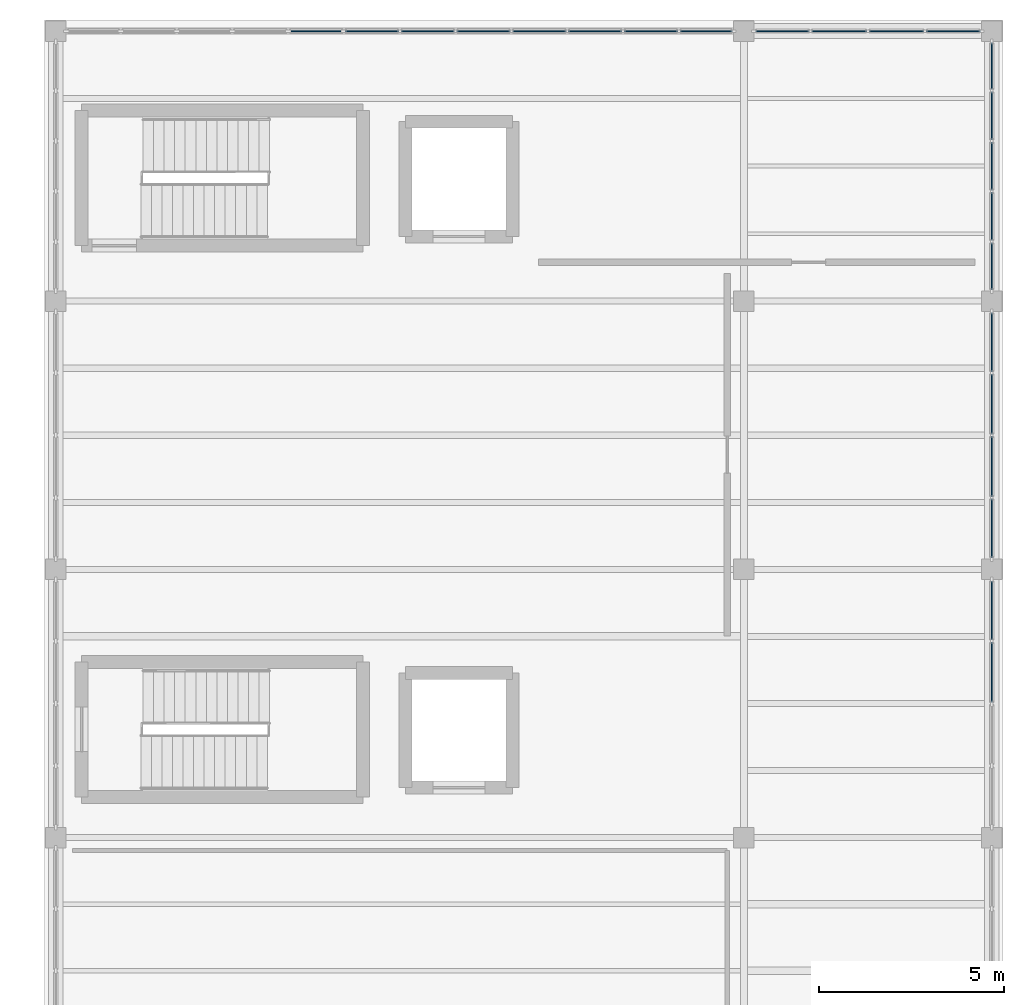
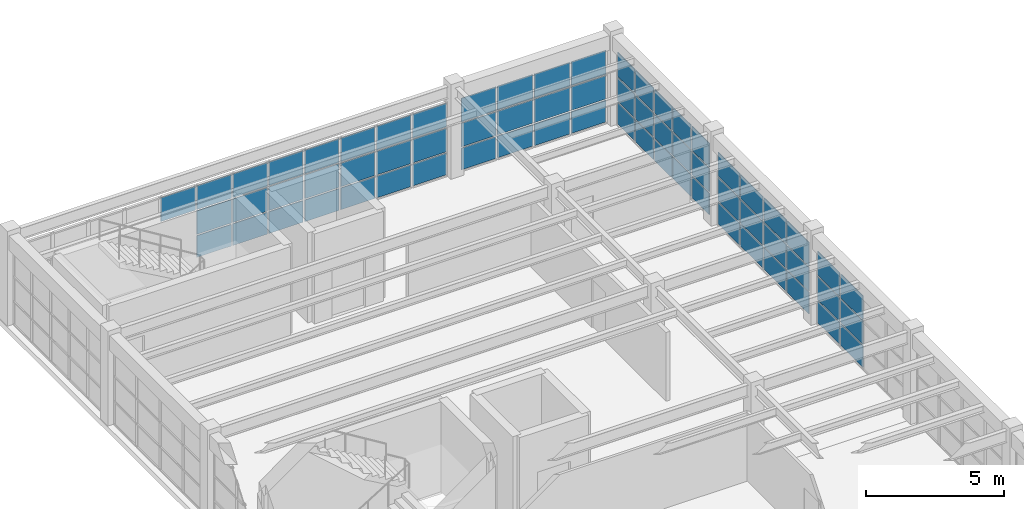
# One storey, part 49 of 66: 67 plates, 5 elements without a shape of their own.
"""IFC4 building model written with IfcOpenShell, lengths in metres."""

import ifcopenshell
import ifcopenshell.guid

model = None  # the IFC model being written
_history = None  # IfcOwnerHistory: only IFC2X3 demands one
_inside = {}  # id of a spatial element -> (the spatial element, [elements in it])
_under = {}  # id of a project, library or spatial element -> (it, [spatial elements below it])
_declared = {}  # id of a project -> (the project, [libraries it declares])
_typed = {}  # id of a type object -> (the type object, [elements of that type])
_made_of = {}  # id of a material, layer set ... -> (it, [elements and type objects made of it])


def new_model(schema):
    """Start an empty IFC model of exactly this schema.

    Asked for "IFC4X3", IfcOpenShell would pick the latest addendum, in which some entities
    have other attributes; the version numbers below select the first issue.
    IFC2X3 requires an IfcOwnerHistory on every rooted entity: one is made here for all.
    """
    global model, _history
    if schema == "IFC4X3":
        model = ifcopenshell.file(schema_version=(4, 3, 0, 0))
    else:
        model = ifcopenshell.file(schema=schema)
    _inside.clear()
    _under.clear()
    _declared.clear()
    _typed.clear()
    _made_of.clear()
    _history = None
    if model.schema == "IFC2X3":
        org = make("IfcOrganization", Name="unknown")
        user = make(
            "IfcPersonAndOrganization",
            ThePerson=make("IfcPerson", FamilyName="unknown"),
            TheOrganization=org,
        )
        app = make(
            "IfcApplication",
            ApplicationDeveloper=org,
            Version="unknown",
            ApplicationFullName="unknown",
            ApplicationIdentifier="unknown",
        )
        _history = make(
            "IfcOwnerHistory",
            OwningUser=user,
            OwningApplication=app,
            ChangeAction="ADDED",
            CreationDate=0,
        )
    return model


def make(cls, **values):
    """One entity of the class cls with the attributes given. An attribute that is None is left unset."""
    return model.create_entity(
        cls, **{name: value for name, value in values.items() if value is not None}
    )


def rooted(cls, **values):
    """An entity with a GlobalId (a new one), such as an element, a storey or a relation."""
    return make(cls, GlobalId=ifcopenshell.guid.new(), OwnerHistory=_history, **values)


def si_unit(unit_type, name, prefix=None):
    """IfcSIUnit, for example si_unit("LENGTHUNIT", "METRE", prefix="MILLI")."""
    return make("IfcSIUnit", UnitType=unit_type, Prefix=prefix, Name=name)


def assignment(units):
    """IfcUnitAssignment: the units of a project."""
    return None if units is None else make("IfcUnitAssignment", Units=units)


def point(xyz):
    """IfcCartesianPoint."""
    return None if xyz is None else make("IfcCartesianPoint", Coordinates=xyz)


def direction(xyz):
    """IfcDirection."""
    return None if xyz is None else make("IfcDirection", DirectionRatios=xyz)


def frame(location, z_axis=None, x_axis=None):
    """IfcAxis2Placement3D, a coordinate frame: its origin and axes. An axis left out is left unset."""
    return make(
        "IfcAxis2Placement3D",
        Location=point(location),
        Axis=direction(z_axis),
        RefDirection=direction(x_axis),
    )


def frame_2d(location, x_axis=None):
    """IfcAxis2Placement2D, a coordinate frame in the plane: its origin and x axis."""
    return make(
        "IfcAxis2Placement2D", Location=point(location), RefDirection=direction(x_axis)
    )


def origin():
    """The frame at (0, 0, 0) with its axes left unset."""
    return frame((0.0, 0.0, 0.0))


def origin_2d():
    """The frame at (0, 0) in the plane with its x axis left unset."""
    return frame_2d((0.0, 0.0))


def place(relative_to, where):
    """IfcLocalPlacement: puts the frame where relative to a parent placement (None: the world)."""
    return make(
        "IfcLocalPlacement", PlacementRelTo=relative_to, RelativePlacement=where
    )


def context(
    kind, dimensions, precision=None, world=None, true_north=None, identifier=None
):
    """IfcGeometricRepresentationContext, for example the 3D "Model" context."""
    return make(
        "IfcGeometricRepresentationContext",
        ContextIdentifier=identifier,
        ContextType=kind,
        CoordinateSpaceDimension=dimensions,
        Precision=precision,
        WorldCoordinateSystem=world,
        TrueNorth=true_north,
    )


def subcontext(parent, identifier, kind, view, scale=None):
    """IfcGeometricRepresentationSubContext, for example "Body" below "Model"."""
    return make(
        "IfcGeometricRepresentationSubContext",
        ContextIdentifier=identifier,
        ContextType=kind,
        ParentContext=parent,
        TargetScale=scale,
        TargetView=view,
    )


def project(units=None, contexts=None):
    """IfcProject with its units and contexts."""
    return rooted(
        "IfcProject",
        Name="project",
        RepresentationContexts=contexts,
        UnitsInContext=assignment(units),
    )


def spatial(cls, under=None, at=None, **own):
    """A site, building, storey or space (cls), placed at a placement, below another one or the project."""
    s = rooted(cls, ObjectPlacement=at, **own)
    if under is not None:
        _under.setdefault(under.id(), (under, []))[1].append(s)
    return s


def profile(cls, at=None, kind="AREA", **sizes):
    """A parametric profile (cls). Its sizes go by their IFC names, for example OverallWidth=200.0."""
    return make(cls, ProfileType=kind, Position=at, **sizes)


def rectangle(**sizes):
    """IfcRectangleProfileDef."""
    return profile("IfcRectangleProfileDef", **sizes)


def extrude(swept, where, along, depth):
    """IfcExtrudedAreaSolid: the profile swept, set in the frame where, extruded along a direction by depth."""
    return make(
        "IfcExtrudedAreaSolid",
        SweptArea=swept,
        Position=where,
        ExtrudedDirection=direction(along),
        Depth=depth,
    )


def shape(context_of_items, identifier, shape_type, items):
    """IfcShapeRepresentation: the items that make up one representation, for example the "Body"."""
    return make(
        "IfcShapeRepresentation",
        ContextOfItems=context_of_items,
        RepresentationIdentifier=identifier,
        RepresentationType=shape_type,
        Items=items,
    )


def material(Name=None, Category=None):
    """IfcMaterial."""
    return make("IfcMaterial", Name=Name, Category=Category)


def layer(
    of_material, thickness, ventilated=None, Name=None, Category=None, Priority=None
):
    """IfcMaterialLayer: one layer of a wall or slab, of a material (None: an air gap)."""
    return make(
        "IfcMaterialLayer",
        Material=of_material,
        LayerThickness=thickness,
        IsVentilated=ventilated,
        Name=Name,
        Category=Category,
        Priority=Priority,
    )


def layer_set(layers, Name=None):
    """IfcMaterialLayerSet."""
    return make("IfcMaterialLayerSet", MaterialLayers=layers, LayerSetName=Name)


def made_of(thing, what):
    """Note that an element or type object is made of a material, layer set ...; save() writes the relation."""
    if what is not None:
        _made_of.setdefault(what.id(), (what, []))[1].append(thing)
    return thing


def type_object(cls, material=None, **own):
    """A type object (cls), such as IfcWallType, which elements share."""
    return made_of(rooted(cls, **own), material)


def element(
    cls,
    number,
    at=None,
    inside=None,
    cuts=None,
    type_object=None,
    material=None,
    context=None,
    identifier="Body",
    shape_type=None,
    held_by="IfcProductDefinitionShape",
    body=None,
    shapes=None,
    **own,
):
    """One element of the class cls, such as IfcWall. Its Tag is "e" and its number.

    at: its placement. inside: the storey or other place that contains it. cuts: it is an
    opening in that element (IfcRelVoidsElement). A single representation is given by context,
    identifier, shape_type and body (its items); several are given by shapes. held_by: the class
    of the entity that holds the representations. save() writes the other relations.
    """
    e = rooted(cls, Tag="e%d" % number, ObjectPlacement=at, **own)
    if body is not None:
        shapes = [shape(context, identifier, shape_type, body)]
    if shapes is not None:
        e.Representation = make(held_by, Representations=shapes)
    if inside is not None:
        _inside.setdefault(inside.id(), (inside, []))[1].append(e)
    if cuts is not None:
        rooted(
            "IfcRelVoidsElement", RelatingBuildingElement=cuts, RelatedOpeningElement=e
        )
    if type_object is not None:
        _typed.setdefault(type_object.id(), (type_object, []))[1].append(e)
    return made_of(e, material)


def aggregate(whole, parts):
    """IfcRelAggregates: a whole, such as a stair, and the parts it consists of."""
    return rooted("IfcRelAggregates", RelatingObject=whole, RelatedObjects=parts)


def save(model, path):
    """Write the relations noted so far, then the file.

    IfcRelAggregates (storeys below a building ...), IfcRelContainedInSpatialStructure (elements
    in a storey), IfcRelDefinesByType, IfcRelAssociatesMaterial and IfcRelDeclares: one each for
    every whole, place, type object, material and project.
    """
    for whole, parts in _under.values():
        aggregate(whole, parts)
    for where, things in _inside.values():
        rooted(
            "IfcRelContainedInSpatialStructure",
            RelatedElements=things,
            RelatingStructure=where,
        )
    for kind, things in _typed.values():
        rooted("IfcRelDefinesByType", RelatedObjects=things, RelatingType=kind)
    for what, things in _made_of.values():
        rooted("IfcRelAssociatesMaterial", RelatedObjects=things, RelatingMaterial=what)
    for by, libraries in _declared.values():
        rooted("IfcRelDeclares", RelatingContext=by, RelatedDefinitions=libraries)
    model.write(path)


model = new_model("IFC4")

# Units and contexts
model_context = context("Model", 3, precision=1e-05, world=origin(), true_north=direction((0.0, 1.0)))
body_context = subcontext(model_context, "Body", "Model", "MODEL_VIEW")
ifc_project = project(units=[si_unit("LENGTHUNIT", "METRE"), si_unit("AREAUNIT", "SQUARE_METRE"), si_unit("VOLUMEUNIT", "CUBIC_METRE"), si_unit("PLANEANGLEUNIT", "RADIAN"), si_unit("MASSUNIT", "GRAM", prefix="KILO")], contexts=[model_context])

# Site, building, storey
site_placement = place(None, origin())
site = spatial("IfcSite", under=ifc_project, at=site_placement, CompositionType="ELEMENT")
building_placement = place(site_placement, origin())
building = spatial("IfcBuilding", under=site, at=building_placement, Name="Candilejo Ridge Gondola Terminal", CompositionType="ELEMENT")
storey_placement = place(building_placement, frame((0.0, 0.0, 14.39990234375)))
storey = spatial("IfcBuildingStorey", under=building, at=storey_placement, Name="L03", CompositionType="ELEMENT", Elevation=14.39990234375)

# Curtain wall, plates
ifc_material_1 = material(Name="Anodised aluminium AA 6063-T6", Category="aluminium")
ifc_layer_1 = layer(ifc_material_1, 0.169921875)
ifc_layer_set_1 = layer_set([ifc_layer_1], Name="ARC-CW-TOWER-3000-675X329")
curtain_wall_type_1 = type_object("IfcCurtainWallType", Name="ARC-CW-TOWER-3000-675X329", PredefinedType="NOTDEFINED", material=ifc_layer_set_1)
curtain_wall_1_placement = place(storey_placement, origin())
curtain_wall_1 = element("IfcCurtainWall", 1, at=curtain_wall_1_placement, inside=storey, type_object=curtain_wall_type_1, Name="Curtain wall V5 L03-203", PredefinedType="NOTDEFINED")
ifc_material_2 = material(Name="Low-E laminated double glazing 6+12A+6+1.52PVB+6 mm", Category="glass")
ifc_layer_2 = layer(ifc_material_2, 0.028076171875)
ifc_layer_set_2 = layer_set([ifc_layer_2], Name="ARC-CW-GLAZ-PANEL")
plate_type = type_object("IfcPlateType", Name="ARC-CW-GLAZ-PANEL", PredefinedType="CURTAIN_PANEL", material=ifc_layer_set_2)
plate_1_placement = place(storey_placement, frame((175.300048828125, 103.518798828125, 0.06005859375), z_axis=(0.0, 0.0, 1.0), x_axis=(0.0, 1.0, 0.0)))
plate_1 = element("IfcPlate", 2, at=plate_1_placement, type_object=plate_type, Name="CW-67X32 panel 3.1", PredefinedType="CURTAIN_PANEL", context=body_context, shape_type="SweptSolid", body=[
    extrude(rectangle(XDim=1.62255859375, YDim=0.028076171875, at=origin_2d()), origin(), (0.0, 0.0, 1.0), 0.9599609375),
])
plate_2_placement = place(storey_placement, frame((175.300048828125, 103.518798828125, 1.080078125), z_axis=(0.0, 0.0, 1.0), x_axis=(0.0, 1.0, 0.0)))
plate_2 = element("IfcPlate", 3, at=plate_2_placement, type_object=plate_type, Name="CW-67X32 panel 3.2", PredefinedType="CURTAIN_PANEL", context=body_context, shape_type="SweptSolid", body=[
    extrude(rectangle(XDim=1.62255859375, YDim=0.028076171875, at=origin_2d()), origin(), (0.0, 0.0, 1.0), 1.0400390625),
])
plate_3_placement = place(storey_placement, frame((175.300048828125, 103.518798828125, 2.18017578125), z_axis=(0.0, 0.0, 1.0), x_axis=(0.0, 1.0, 0.0)))
plate_3 = element("IfcPlate", 4, at=plate_3_placement, type_object=plate_type, Name="CW-67X32 panel 3.3", PredefinedType="CURTAIN_PANEL", context=body_context, shape_type="SweptSolid", body=[
    extrude(rectangle(XDim=1.62255859375, YDim=0.028076171875, at=origin_2d()), origin(), (0.0, 0.0, 1.0), 1.050048828125),
])
plate_4_placement = place(storey_placement, frame((175.300048828125, 105.18994140625, 0.06005859375), z_axis=(0.0, 0.0, 1.0), x_axis=(0.0, 1.0, 0.0)))
plate_4 = element("IfcPlate", 5, at=plate_4_placement, type_object=plate_type, Name="CW-67X32 panel 4.1", PredefinedType="CURTAIN_PANEL", context=body_context, shape_type="SweptSolid", body=[
    extrude(rectangle(XDim=1.590087890625, YDim=0.028076171875, at=origin_2d()), origin(), (0.0, 0.0, 1.0), 0.9599609375),
])
plate_5_placement = place(storey_placement, frame((175.300048828125, 105.18994140625, 1.080078125), z_axis=(0.0, 0.0, 1.0), x_axis=(0.0, 1.0, 0.0)))
plate_5 = element("IfcPlate", 6, at=plate_5_placement, type_object=plate_type, Name="CW-67X32 panel 4.2", PredefinedType="CURTAIN_PANEL", context=body_context, shape_type="SweptSolid", body=[
    extrude(rectangle(XDim=1.590087890625, YDim=0.028076171875, at=origin_2d()), origin(), (0.0, 0.0, 1.0), 1.0400390625),
])
plate_6_placement = place(storey_placement, frame((175.300048828125, 105.18994140625, 2.18017578125), z_axis=(0.0, 0.0, 1.0), x_axis=(0.0, 1.0, 0.0)))
plate_6 = element("IfcPlate", 7, at=plate_6_placement, type_object=plate_type, Name="CW-67X32 panel 4.3", PredefinedType="CURTAIN_PANEL", context=body_context, shape_type="SweptSolid", body=[
    extrude(rectangle(XDim=1.590087890625, YDim=0.028076171875, at=origin_2d()), origin(), (0.0, 0.0, 1.0), 1.050048828125),
])
aggregate(curtain_wall_1, [plate_1, plate_2, plate_3, plate_4, plate_5, plate_6])

curtain_wall_2_placement = place(storey_placement, origin())
curtain_wall_2 = element("IfcCurtainWall", 8, at=curtain_wall_2_placement, inside=storey, type_object=curtain_wall_type_1, Name="Curtain wall V5 L03-205", PredefinedType="NOTDEFINED")
plate_7_placement = place(storey_placement, frame((175.300048828125, 107.409912109375, 0.06005859375), z_axis=(0.0, 0.0, 1.0), x_axis=(0.0, 1.0, 0.0)))
plate_7 = element("IfcPlate", 9, at=plate_7_placement, type_object=plate_type, Name="CW-67X32 panel 1.1", PredefinedType="CURTAIN_PANEL", context=body_context, shape_type="SweptSolid", body=[
    extrude(rectangle(XDim=1.590087890625, YDim=0.028076171875, at=origin_2d()), origin(), (0.0, 0.0, 1.0), 0.9599609375),
])
plate_8_placement = place(storey_placement, frame((175.300048828125, 107.409912109375, 1.080078125), z_axis=(0.0, 0.0, 1.0), x_axis=(0.0, 1.0, 0.0)))
plate_8 = element("IfcPlate", 10, at=plate_8_placement, type_object=plate_type, Name="CW-67X32 panel 1.2", PredefinedType="CURTAIN_PANEL", context=body_context, shape_type="SweptSolid", body=[
    extrude(rectangle(XDim=1.590087890625, YDim=0.028076171875, at=origin_2d()), origin(), (0.0, 0.0, 1.0), 1.0400390625),
])
plate_9_placement = place(storey_placement, frame((175.300048828125, 107.409912109375, 2.18017578125), z_axis=(0.0, 0.0, 1.0), x_axis=(0.0, 1.0, 0.0)))
plate_9 = element("IfcPlate", 11, at=plate_9_placement, type_object=plate_type, Name="CW-67X32 panel 1.3", PredefinedType="CURTAIN_PANEL", context=body_context, shape_type="SweptSolid", body=[
    extrude(rectangle(XDim=1.590087890625, YDim=0.028076171875, at=origin_2d()), origin(), (0.0, 0.0, 1.0), 1.050048828125),
])
plate_10_placement = place(storey_placement, frame((175.300048828125, 109.081298828125, 0.06005859375), z_axis=(0.0, 0.0, 1.0), x_axis=(0.0, 1.0, 0.0)))
plate_10 = element("IfcPlate", 12, at=plate_10_placement, type_object=plate_type, Name="CW-67X32 panel 2.1", PredefinedType="CURTAIN_PANEL", context=body_context, shape_type="SweptSolid", body=[
    extrude(rectangle(XDim=1.62255859375, YDim=0.028076171875, at=origin_2d()), origin(), (0.0, 0.0, 1.0), 0.9599609375),
])
plate_11_placement = place(storey_placement, frame((175.300048828125, 109.081298828125, 1.080078125), z_axis=(0.0, 0.0, 1.0), x_axis=(0.0, 1.0, 0.0)))
plate_11 = element("IfcPlate", 13, at=plate_11_placement, type_object=plate_type, Name="CW-67X32 panel 2.2", PredefinedType="CURTAIN_PANEL", context=body_context, shape_type="SweptSolid", body=[
    extrude(rectangle(XDim=1.62255859375, YDim=0.028076171875, at=origin_2d()), origin(), (0.0, 0.0, 1.0), 1.0400390625),
])
plate_12_placement = place(storey_placement, frame((175.300048828125, 109.081298828125, 2.18017578125), z_axis=(0.0, 0.0, 1.0), x_axis=(0.0, 1.0, 0.0)))
plate_12 = element("IfcPlate", 14, at=plate_12_placement, type_object=plate_type, Name="CW-67X32 panel 2.3", PredefinedType="CURTAIN_PANEL", context=body_context, shape_type="SweptSolid", body=[
    extrude(rectangle(XDim=1.62255859375, YDim=0.028076171875, at=origin_2d()), origin(), (0.0, 0.0, 1.0), 1.050048828125),
])
plate_13_placement = place(storey_placement, frame((175.300048828125, 110.768798828125, 0.06005859375), z_axis=(0.0, 0.0, 1.0), x_axis=(0.0, 1.0, 0.0)))
plate_13 = element("IfcPlate", 15, at=plate_13_placement, type_object=plate_type, Name="CW-67X32 panel 3.1", PredefinedType="CURTAIN_PANEL", context=body_context, shape_type="SweptSolid", body=[
    extrude(rectangle(XDim=1.62255859375, YDim=0.028076171875, at=origin_2d()), origin(), (0.0, 0.0, 1.0), 0.9599609375),
])
plate_14_placement = place(storey_placement, frame((175.300048828125, 110.768798828125, 1.080078125), z_axis=(0.0, 0.0, 1.0), x_axis=(0.0, 1.0, 0.0)))
plate_14 = element("IfcPlate", 16, at=plate_14_placement, type_object=plate_type, Name="CW-67X32 panel 3.2", PredefinedType="CURTAIN_PANEL", context=body_context, shape_type="SweptSolid", body=[
    extrude(rectangle(XDim=1.62255859375, YDim=0.028076171875, at=origin_2d()), origin(), (0.0, 0.0, 1.0), 1.0400390625),
])
plate_15_placement = place(storey_placement, frame((175.300048828125, 110.768798828125, 2.18017578125), z_axis=(0.0, 0.0, 1.0), x_axis=(0.0, 1.0, 0.0)))
plate_15 = element("IfcPlate", 17, at=plate_15_placement, type_object=plate_type, Name="CW-67X32 panel 3.3", PredefinedType="CURTAIN_PANEL", context=body_context, shape_type="SweptSolid", body=[
    extrude(rectangle(XDim=1.62255859375, YDim=0.028076171875, at=origin_2d()), origin(), (0.0, 0.0, 1.0), 1.050048828125),
])
plate_16_placement = place(storey_placement, frame((175.300048828125, 112.43994140625, 0.06005859375), z_axis=(0.0, 0.0, 1.0), x_axis=(0.0, 1.0, 0.0)))
plate_16 = element("IfcPlate", 18, at=plate_16_placement, type_object=plate_type, Name="CW-67X32 panel 4.1", PredefinedType="CURTAIN_PANEL", context=body_context, shape_type="SweptSolid", body=[
    extrude(rectangle(XDim=1.590087890625, YDim=0.028076171875, at=origin_2d()), origin(), (0.0, 0.0, 1.0), 0.9599609375),
])
plate_17_placement = place(storey_placement, frame((175.300048828125, 112.43994140625, 1.080078125), z_axis=(0.0, 0.0, 1.0), x_axis=(0.0, 1.0, 0.0)))
plate_17 = element("IfcPlate", 19, at=plate_17_placement, type_object=plate_type, Name="CW-67X32 panel 4.2", PredefinedType="CURTAIN_PANEL", context=body_context, shape_type="SweptSolid", body=[
    extrude(rectangle(XDim=1.590087890625, YDim=0.028076171875, at=origin_2d()), origin(), (0.0, 0.0, 1.0), 1.0400390625),
])
plate_18_placement = place(storey_placement, frame((175.300048828125, 112.43994140625, 2.18017578125), z_axis=(0.0, 0.0, 1.0), x_axis=(0.0, 1.0, 0.0)))
plate_18 = element("IfcPlate", 20, at=plate_18_placement, type_object=plate_type, Name="CW-67X32 panel 4.3", PredefinedType="CURTAIN_PANEL", context=body_context, shape_type="SweptSolid", body=[
    extrude(rectangle(XDim=1.590087890625, YDim=0.028076171875, at=origin_2d()), origin(), (0.0, 0.0, 1.0), 1.050048828125),
])
aggregate(curtain_wall_2, [plate_7, plate_8, plate_9, plate_10, plate_11, plate_12, plate_13, plate_14, plate_15, plate_16, plate_17, plate_18])

ifc_material_3 = material(Name="Anodised aluminium AA 6063-T6", Category="aluminium")
ifc_layer_3 = layer(ifc_material_3, 0.169921875)
ifc_layer_set_3 = layer_set([ifc_layer_3], Name="ARC-CW-TOWER-3000-680X329")
curtain_wall_type_2 = type_object("IfcCurtainWallType", Name="ARC-CW-TOWER-3000-680X329", PredefinedType="NOTDEFINED", material=ifc_layer_set_3)
curtain_wall_3_placement = place(storey_placement, origin())
curtain_wall_3 = element("IfcCurtainWall", 21, at=curtain_wall_3_placement, inside=storey, type_object=curtain_wall_type_2, Name="Curtain wall V5 L03-207", PredefinedType="NOTDEFINED")
plate_19_placement = place(storey_placement, frame((175.300048828125, 114.496337890625, 0.06005859375), z_axis=(0.0, 0.0, 1.0), x_axis=(0.0, 1.0, 0.0)))
plate_19 = element("IfcPlate", 22, at=plate_19_placement, type_object=plate_type, Name="CW-68X32 panel 1.1", PredefinedType="CURTAIN_PANEL", context=body_context, shape_type="SweptSolid", body=[
    extrude(rectangle(XDim=1.262451171875, YDim=0.028076171875, at=origin_2d()), origin(), (0.0, 0.0, 1.0), 0.9599609375),
])
plate_20_placement = place(storey_placement, frame((175.300048828125, 114.496337890625, 1.080078125), z_axis=(0.0, 0.0, 1.0), x_axis=(0.0, 1.0, 0.0)))
plate_20 = element("IfcPlate", 23, at=plate_20_placement, type_object=plate_type, Name="CW-68X32 panel 1.2", PredefinedType="CURTAIN_PANEL", context=body_context, shape_type="SweptSolid", body=[
    extrude(rectangle(XDim=1.262451171875, YDim=0.028076171875, at=origin_2d()), origin(), (0.0, 0.0, 1.0), 1.0400390625),
])
plate_21_placement = place(storey_placement, frame((175.300048828125, 114.496337890625, 2.18017578125), z_axis=(0.0, 0.0, 1.0), x_axis=(0.0, 1.0, 0.0)))
plate_21 = element("IfcPlate", 24, at=plate_21_placement, type_object=plate_type, Name="CW-68X32 panel 1.3", PredefinedType="CURTAIN_PANEL", context=body_context, shape_type="SweptSolid", body=[
    extrude(rectangle(XDim=1.262451171875, YDim=0.028076171875, at=origin_2d()), origin(), (0.0, 0.0, 1.0), 1.050048828125),
])
plate_22_placement = place(storey_placement, frame((175.300048828125, 115.840087890625, 0.06005859375), z_axis=(0.0, 0.0, 1.0), x_axis=(0.0, 1.0, 0.0)))
plate_22 = element("IfcPlate", 25, at=plate_22_placement, type_object=plate_type, Name="CW-68X32 panel 2.1", PredefinedType="CURTAIN_PANEL", context=body_context, shape_type="SweptSolid", body=[
    extrude(rectangle(XDim=1.294921875, YDim=0.028076171875, at=origin_2d()), origin(), (0.0, 0.0, 1.0), 0.9599609375),
])
plate_23_placement = place(storey_placement, frame((175.300048828125, 115.840087890625, 1.080078125), z_axis=(0.0, 0.0, 1.0), x_axis=(0.0, 1.0, 0.0)))
plate_23 = element("IfcPlate", 26, at=plate_23_placement, type_object=plate_type, Name="CW-68X32 panel 2.2", PredefinedType="CURTAIN_PANEL", context=body_context, shape_type="SweptSolid", body=[
    extrude(rectangle(XDim=1.294921875, YDim=0.028076171875, at=origin_2d()), origin(), (0.0, 0.0, 1.0), 1.0400390625),
])
plate_24_placement = place(storey_placement, frame((175.300048828125, 115.840087890625, 2.18017578125), z_axis=(0.0, 0.0, 1.0), x_axis=(0.0, 1.0, 0.0)))
plate_24 = element("IfcPlate", 27, at=plate_24_placement, type_object=plate_type, Name="CW-68X32 panel 2.3", PredefinedType="CURTAIN_PANEL", context=body_context, shape_type="SweptSolid", body=[
    extrude(rectangle(XDim=1.294921875, YDim=0.028076171875, at=origin_2d()), origin(), (0.0, 0.0, 1.0), 1.050048828125),
])
plate_25_placement = place(storey_placement, frame((175.300048828125, 117.199951171875, 0.06005859375), z_axis=(0.0, 0.0, 1.0), x_axis=(0.0, 1.0, 0.0)))
plate_25 = element("IfcPlate", 28, at=plate_25_placement, type_object=plate_type, Name="CW-68X32 panel 3.1", PredefinedType="CURTAIN_PANEL", context=body_context, shape_type="SweptSolid", body=[
    extrude(rectangle(XDim=1.294921875, YDim=0.028076171875, at=origin_2d()), origin(), (0.0, 0.0, 1.0), 0.9599609375),
])
plate_26_placement = place(storey_placement, frame((175.300048828125, 117.199951171875, 1.080078125), z_axis=(0.0, 0.0, 1.0), x_axis=(0.0, 1.0, 0.0)))
plate_26 = element("IfcPlate", 29, at=plate_26_placement, type_object=plate_type, Name="CW-68X32 panel 3.2", PredefinedType="CURTAIN_PANEL", context=body_context, shape_type="SweptSolid", body=[
    extrude(rectangle(XDim=1.294921875, YDim=0.028076171875, at=origin_2d()), origin(), (0.0, 0.0, 1.0), 1.0400390625),
])
plate_27_placement = place(storey_placement, frame((175.300048828125, 117.199951171875, 2.18017578125), z_axis=(0.0, 0.0, 1.0), x_axis=(0.0, 1.0, 0.0)))
plate_27 = element("IfcPlate", 30, at=plate_27_placement, type_object=plate_type, Name="CW-68X32 panel 3.3", PredefinedType="CURTAIN_PANEL", context=body_context, shape_type="SweptSolid", body=[
    extrude(rectangle(XDim=1.294921875, YDim=0.028076171875, at=origin_2d()), origin(), (0.0, 0.0, 1.0), 1.050048828125),
])
plate_28_placement = place(storey_placement, frame((175.300048828125, 118.56005859375, 0.06005859375), z_axis=(0.0, 0.0, 1.0), x_axis=(0.0, 1.0, 0.0)))
plate_28 = element("IfcPlate", 31, at=plate_28_placement, type_object=plate_type, Name="CW-68X32 panel 4.1", PredefinedType="CURTAIN_PANEL", context=body_context, shape_type="SweptSolid", body=[
    extrude(rectangle(XDim=1.294921875, YDim=0.028076171875, at=origin_2d()), origin(), (0.0, 0.0, 1.0), 0.9599609375),
])
plate_29_placement = place(storey_placement, frame((175.300048828125, 118.56005859375, 1.080078125), z_axis=(0.0, 0.0, 1.0), x_axis=(0.0, 1.0, 0.0)))
plate_29 = element("IfcPlate", 32, at=plate_29_placement, type_object=plate_type, Name="CW-68X32 panel 4.2", PredefinedType="CURTAIN_PANEL", context=body_context, shape_type="SweptSolid", body=[
    extrude(rectangle(XDim=1.294921875, YDim=0.028076171875, at=origin_2d()), origin(), (0.0, 0.0, 1.0), 1.0400390625),
])
plate_30_placement = place(storey_placement, frame((175.300048828125, 118.56005859375, 2.18017578125), z_axis=(0.0, 0.0, 1.0), x_axis=(0.0, 1.0, 0.0)))
plate_30 = element("IfcPlate", 33, at=plate_30_placement, type_object=plate_type, Name="CW-68X32 panel 4.3", PredefinedType="CURTAIN_PANEL", context=body_context, shape_type="SweptSolid", body=[
    extrude(rectangle(XDim=1.294921875, YDim=0.028076171875, at=origin_2d()), origin(), (0.0, 0.0, 1.0), 1.050048828125),
])
plate_31_placement = place(storey_placement, frame((175.300048828125, 119.90380859375, 0.06005859375), z_axis=(0.0, 0.0, 1.0), x_axis=(0.0, 1.0, 0.0)))
plate_31 = element("IfcPlate", 34, at=plate_31_placement, type_object=plate_type, Name="CW-68X32 panel 5.1", PredefinedType="CURTAIN_PANEL", context=body_context, shape_type="SweptSolid", body=[
    extrude(rectangle(XDim=1.262451171875, YDim=0.028076171875, at=origin_2d()), origin(), (0.0, 0.0, 1.0), 0.9599609375),
])
plate_32_placement = place(storey_placement, frame((175.300048828125, 119.90380859375, 1.080078125), z_axis=(0.0, 0.0, 1.0), x_axis=(0.0, 1.0, 0.0)))
plate_32 = element("IfcPlate", 35, at=plate_32_placement, type_object=plate_type, Name="CW-68X32 panel 5.2", PredefinedType="CURTAIN_PANEL", context=body_context, shape_type="SweptSolid", body=[
    extrude(rectangle(XDim=1.262451171875, YDim=0.028076171875, at=origin_2d()), origin(), (0.0, 0.0, 1.0), 1.0400390625),
])
plate_33_placement = place(storey_placement, frame((175.300048828125, 119.90380859375, 2.18017578125), z_axis=(0.0, 0.0, 1.0), x_axis=(0.0, 1.0, 0.0)))
plate_33 = element("IfcPlate", 36, at=plate_33_placement, type_object=plate_type, Name="CW-68X32 panel 5.3", PredefinedType="CURTAIN_PANEL", context=body_context, shape_type="SweptSolid", body=[
    extrude(rectangle(XDim=1.262451171875, YDim=0.028076171875, at=origin_2d()), origin(), (0.0, 0.0, 1.0), 1.050048828125),
])
aggregate(curtain_wall_3, [plate_19, plate_20, plate_21, plate_22, plate_23, plate_24, plate_25, plate_26, plate_27, plate_28, plate_29, plate_30, plate_31, plate_32, plate_33])

ifc_material_4 = material(Name="Anodised aluminium AA 6063-T6", Category="aluminium")
ifc_layer_4 = layer(ifc_material_4, 0.169921875)
ifc_layer_set_4 = layer_set([ifc_layer_4], Name="ARC-CW-TOWER-3000-1810X329")
curtain_wall_type_3 = type_object("IfcCurtainWallType", Name="ARC-CW-TOWER-3000-1810X329", PredefinedType="NOTDEFINED", material=ifc_layer_set_4)
curtain_wall_4_placement = place(storey_placement, origin())
curtain_wall_4 = element("IfcCurtainWall", 37, at=curtain_wall_4_placement, inside=storey, type_object=curtain_wall_type_3, Name="Curtain wall V5 L03-209", PredefinedType="NOTDEFINED")
plate_34_placement = place(storey_placement, frame((157.03759765625, 120.85009765625, 2.18017578125), z_axis=(0.0, 0.0, 1.0), x_axis=(1.0, 0.0, 0.0)))
plate_34 = element("IfcPlate", 38, at=plate_34_placement, type_object=plate_type, Name="CW-181X32 panel 5.3", PredefinedType="CURTAIN_PANEL", context=body_context, shape_type="SweptSolid", body=[
    extrude(rectangle(XDim=1.443359375, YDim=0.028076171875, at=origin_2d()), origin(), (0.0, 0.0, 1.0), 1.050048828125),
])
plate_35_placement = place(storey_placement, frame((158.5458984375, 120.85009765625, 0.06005859375), z_axis=(0.0, 0.0, 1.0), x_axis=(1.0, 0.0, 0.0)))
plate_35 = element("IfcPlate", 39, at=plate_35_placement, type_object=plate_type, Name="CW-181X32 panel 6.1", PredefinedType="CURTAIN_PANEL", context=body_context, shape_type="SweptSolid", body=[
    extrude(rectangle(XDim=1.443359375, YDim=0.028076171875, at=origin_2d()), origin(), (0.0, 0.0, 1.0), 0.9599609375),
])
plate_36_placement = place(storey_placement, frame((158.5458984375, 120.85009765625, 1.080078125), z_axis=(0.0, 0.0, 1.0), x_axis=(1.0, 0.0, 0.0)))
plate_36 = element("IfcPlate", 40, at=plate_36_placement, type_object=plate_type, Name="CW-181X32 panel 6.2", PredefinedType="CURTAIN_PANEL", context=body_context, shape_type="SweptSolid", body=[
    extrude(rectangle(XDim=1.443359375, YDim=0.028076171875, at=origin_2d()), origin(), (0.0, 0.0, 1.0), 1.0400390625),
])
plate_37_placement = place(storey_placement, frame((158.5458984375, 120.85009765625, 2.18017578125), z_axis=(0.0, 0.0, 1.0), x_axis=(1.0, 0.0, 0.0)))
plate_37 = element("IfcPlate", 41, at=plate_37_placement, type_object=plate_type, Name="CW-181X32 panel 6.3", PredefinedType="CURTAIN_PANEL", context=body_context, shape_type="SweptSolid", body=[
    extrude(rectangle(XDim=1.443359375, YDim=0.028076171875, at=origin_2d()), origin(), (0.0, 0.0, 1.0), 1.050048828125),
])
plate_38_placement = place(storey_placement, frame((160.05419921875, 120.85009765625, 0.06005859375), z_axis=(0.0, 0.0, 1.0), x_axis=(1.0, 0.0, 0.0)))
plate_38 = element("IfcPlate", 42, at=plate_38_placement, type_object=plate_type, Name="CW-181X32 panel 7.1", PredefinedType="CURTAIN_PANEL", context=body_context, shape_type="SweptSolid", body=[
    extrude(rectangle(XDim=1.443359375, YDim=0.028076171875, at=origin_2d()), origin(), (0.0, 0.0, 1.0), 0.9599609375),
])
plate_39_placement = place(storey_placement, frame((160.05419921875, 120.85009765625, 1.080078125), z_axis=(0.0, 0.0, 1.0), x_axis=(1.0, 0.0, 0.0)))
plate_39 = element("IfcPlate", 43, at=plate_39_placement, type_object=plate_type, Name="CW-181X32 panel 7.2", PredefinedType="CURTAIN_PANEL", context=body_context, shape_type="SweptSolid", body=[
    extrude(rectangle(XDim=1.443359375, YDim=0.028076171875, at=origin_2d()), origin(), (0.0, 0.0, 1.0), 1.0400390625),
])
plate_40_placement = place(storey_placement, frame((160.05419921875, 120.85009765625, 2.18017578125), z_axis=(0.0, 0.0, 1.0), x_axis=(1.0, 0.0, 0.0)))
plate_40 = element("IfcPlate", 44, at=plate_40_placement, type_object=plate_type, Name="CW-181X32 panel 7.3", PredefinedType="CURTAIN_PANEL", context=body_context, shape_type="SweptSolid", body=[
    extrude(rectangle(XDim=1.443359375, YDim=0.028076171875, at=origin_2d()), origin(), (0.0, 0.0, 1.0), 1.050048828125),
])
plate_41_placement = place(storey_placement, frame((161.5625, 120.85009765625, 0.06005859375), z_axis=(0.0, 0.0, 1.0), x_axis=(1.0, 0.0, 0.0)))
plate_41 = element("IfcPlate", 45, at=plate_41_placement, type_object=plate_type, Name="CW-181X32 panel 8.1", PredefinedType="CURTAIN_PANEL", context=body_context, shape_type="SweptSolid", body=[
    extrude(rectangle(XDim=1.443359375, YDim=0.028076171875, at=origin_2d()), origin(), (0.0, 0.0, 1.0), 0.9599609375),
])
plate_42_placement = place(storey_placement, frame((161.5625, 120.85009765625, 1.080078125), z_axis=(0.0, 0.0, 1.0), x_axis=(1.0, 0.0, 0.0)))
plate_42 = element("IfcPlate", 46, at=plate_42_placement, type_object=plate_type, Name="CW-181X32 panel 8.2", PredefinedType="CURTAIN_PANEL", context=body_context, shape_type="SweptSolid", body=[
    extrude(rectangle(XDim=1.443359375, YDim=0.028076171875, at=origin_2d()), origin(), (0.0, 0.0, 1.0), 1.0400390625),
])
plate_43_placement = place(storey_placement, frame((161.5625, 120.85009765625, 2.18017578125), z_axis=(0.0, 0.0, 1.0), x_axis=(1.0, 0.0, 0.0)))
plate_43 = element("IfcPlate", 47, at=plate_43_placement, type_object=plate_type, Name="CW-181X32 panel 8.3", PredefinedType="CURTAIN_PANEL", context=body_context, shape_type="SweptSolid", body=[
    extrude(rectangle(XDim=1.443359375, YDim=0.028076171875, at=origin_2d()), origin(), (0.0, 0.0, 1.0), 1.050048828125),
])
plate_44_placement = place(storey_placement, frame((163.07080078125, 120.85009765625, 0.06005859375), z_axis=(0.0, 0.0, 1.0), x_axis=(1.0, 0.0, 0.0)))
plate_44 = element("IfcPlate", 48, at=plate_44_placement, type_object=plate_type, Name="CW-181X32 panel 9.1", PredefinedType="CURTAIN_PANEL", context=body_context, shape_type="SweptSolid", body=[
    extrude(rectangle(XDim=1.443359375, YDim=0.028076171875, at=origin_2d()), origin(), (0.0, 0.0, 1.0), 0.9599609375),
])
plate_45_placement = place(storey_placement, frame((163.07080078125, 120.85009765625, 1.080078125), z_axis=(0.0, 0.0, 1.0), x_axis=(1.0, 0.0, 0.0)))
plate_45 = element("IfcPlate", 49, at=plate_45_placement, type_object=plate_type, Name="CW-181X32 panel 9.2", PredefinedType="CURTAIN_PANEL", context=body_context, shape_type="SweptSolid", body=[
    extrude(rectangle(XDim=1.443359375, YDim=0.028076171875, at=origin_2d()), origin(), (0.0, 0.0, 1.0), 1.0400390625),
])
plate_46_placement = place(storey_placement, frame((163.07080078125, 120.85009765625, 2.18017578125), z_axis=(0.0, 0.0, 1.0), x_axis=(1.0, 0.0, 0.0)))
plate_46 = element("IfcPlate", 50, at=plate_46_placement, type_object=plate_type, Name="CW-181X32 panel 9.3", PredefinedType="CURTAIN_PANEL", context=body_context, shape_type="SweptSolid", body=[
    extrude(rectangle(XDim=1.443359375, YDim=0.028076171875, at=origin_2d()), origin(), (0.0, 0.0, 1.0), 1.050048828125),
])
plate_47_placement = place(storey_placement, frame((164.5791015625, 120.85009765625, 0.06005859375), z_axis=(0.0, 0.0, 1.0), x_axis=(1.0, 0.0, 0.0)))
plate_47 = element("IfcPlate", 51, at=plate_47_placement, type_object=plate_type, Name="CW-181X32 panel 10.1", PredefinedType="CURTAIN_PANEL", context=body_context, shape_type="SweptSolid", body=[
    extrude(rectangle(XDim=1.443359375, YDim=0.028076171875, at=origin_2d()), origin(), (0.0, 0.0, 1.0), 0.9599609375),
])
plate_48_placement = place(storey_placement, frame((164.5791015625, 120.85009765625, 1.080078125), z_axis=(0.0, 0.0, 1.0), x_axis=(1.0, 0.0, 0.0)))
plate_48 = element("IfcPlate", 52, at=plate_48_placement, type_object=plate_type, Name="CW-181X32 panel 10.2", PredefinedType="CURTAIN_PANEL", context=body_context, shape_type="SweptSolid", body=[
    extrude(rectangle(XDim=1.443359375, YDim=0.028076171875, at=origin_2d()), origin(), (0.0, 0.0, 1.0), 1.0400390625),
])
plate_49_placement = place(storey_placement, frame((164.5791015625, 120.85009765625, 2.18017578125), z_axis=(0.0, 0.0, 1.0), x_axis=(1.0, 0.0, 0.0)))
plate_49 = element("IfcPlate", 53, at=plate_49_placement, type_object=plate_type, Name="CW-181X32 panel 10.3", PredefinedType="CURTAIN_PANEL", context=body_context, shape_type="SweptSolid", body=[
    extrude(rectangle(XDim=1.443359375, YDim=0.028076171875, at=origin_2d()), origin(), (0.0, 0.0, 1.0), 1.050048828125),
])
plate_50_placement = place(storey_placement, frame((166.08740234375, 120.85009765625, 0.06005859375), z_axis=(0.0, 0.0, 1.0), x_axis=(1.0, 0.0, 0.0)))
plate_50 = element("IfcPlate", 54, at=plate_50_placement, type_object=plate_type, Name="CW-181X32 panel 11.1", PredefinedType="CURTAIN_PANEL", context=body_context, shape_type="SweptSolid", body=[
    extrude(rectangle(XDim=1.443359375, YDim=0.028076171875, at=origin_2d()), origin(), (0.0, 0.0, 1.0), 0.9599609375),
])
plate_51_placement = place(storey_placement, frame((166.08740234375, 120.85009765625, 1.080078125), z_axis=(0.0, 0.0, 1.0), x_axis=(1.0, 0.0, 0.0)))
plate_51 = element("IfcPlate", 55, at=plate_51_placement, type_object=plate_type, Name="CW-181X32 panel 11.2", PredefinedType="CURTAIN_PANEL", context=body_context, shape_type="SweptSolid", body=[
    extrude(rectangle(XDim=1.443359375, YDim=0.028076171875, at=origin_2d()), origin(), (0.0, 0.0, 1.0), 1.0400390625),
])
plate_52_placement = place(storey_placement, frame((166.08740234375, 120.85009765625, 2.18017578125), z_axis=(0.0, 0.0, 1.0), x_axis=(1.0, 0.0, 0.0)))
plate_52 = element("IfcPlate", 56, at=plate_52_placement, type_object=plate_type, Name="CW-181X32 panel 11.3", PredefinedType="CURTAIN_PANEL", context=body_context, shape_type="SweptSolid", body=[
    extrude(rectangle(XDim=1.443359375, YDim=0.028076171875, at=origin_2d()), origin(), (0.0, 0.0, 1.0), 1.050048828125),
])
plate_53_placement = place(storey_placement, frame((167.57958984375, 120.85009765625, 0.06005859375), z_axis=(0.0, 0.0, 1.0), x_axis=(1.0, 0.0, 0.0)))
plate_53 = element("IfcPlate", 57, at=plate_53_placement, type_object=plate_type, Name="CW-181X32 panel 12.1", PredefinedType="CURTAIN_PANEL", context=body_context, shape_type="SweptSolid", body=[
    extrude(rectangle(XDim=1.410888671875, YDim=0.028076171875, at=origin_2d()), origin(), (0.0, 0.0, 1.0), 0.9599609375),
])
plate_54_placement = place(storey_placement, frame((167.57958984375, 120.85009765625, 1.080078125), z_axis=(0.0, 0.0, 1.0), x_axis=(1.0, 0.0, 0.0)))
plate_54 = element("IfcPlate", 58, at=plate_54_placement, type_object=plate_type, Name="CW-181X32 panel 12.2", PredefinedType="CURTAIN_PANEL", context=body_context, shape_type="SweptSolid", body=[
    extrude(rectangle(XDim=1.410888671875, YDim=0.028076171875, at=origin_2d()), origin(), (0.0, 0.0, 1.0), 1.0400390625),
])
plate_55_placement = place(storey_placement, frame((167.57958984375, 120.85009765625, 2.18017578125), z_axis=(0.0, 0.0, 1.0), x_axis=(1.0, 0.0, 0.0)))
plate_55 = element("IfcPlate", 59, at=plate_55_placement, type_object=plate_type, Name="CW-181X32 panel 12.3", PredefinedType="CURTAIN_PANEL", context=body_context, shape_type="SweptSolid", body=[
    extrude(rectangle(XDim=1.410888671875, YDim=0.028076171875, at=origin_2d()), origin(), (0.0, 0.0, 1.0), 1.050048828125),
])
aggregate(curtain_wall_4, [plate_34, plate_35, plate_36, plate_37, plate_38, plate_39, plate_40, plate_41, plate_42, plate_43, plate_44, plate_45, plate_46, plate_47, plate_48, plate_49, plate_50, plate_51, plate_52, plate_53, plate_54, plate_55])

ifc_material_5 = material(Name="Anodised aluminium AA 6063-T6", Category="aluminium")
ifc_layer_5 = layer(ifc_material_5, 0.169921875)
ifc_layer_set_5 = layer_set([ifc_layer_5], Name="ARC-CW-TOWER-3000-620X329")
curtain_wall_type_4 = type_object("IfcCurtainWallType", Name="ARC-CW-TOWER-3000-620X329", PredefinedType="NOTDEFINED", material=ifc_layer_set_5)
curtain_wall_5_placement = place(storey_placement, origin())
curtain_wall_5 = element("IfcCurtainWall", 60, at=curtain_wall_5_placement, inside=storey, type_object=curtain_wall_type_4, Name="Curtain wall V5 L03-211", PredefinedType="NOTDEFINED")
plate_56_placement = place(storey_placement, frame((169.641357421875, 120.85009765625, 0.06005859375), z_axis=(0.0, 0.0, 1.0), x_axis=(1.0, 0.0, 0.0)))
plate_56 = element("IfcPlate", 61, at=plate_56_placement, type_object=plate_type, Name="CW-62X32 panel 1.1", PredefinedType="CURTAIN_PANEL", context=body_context, shape_type="SweptSolid", body=[
    extrude(rectangle(XDim=1.452392578125, YDim=0.028076171875, at=origin_2d()), origin(), (0.0, 0.0, 1.0), 0.9599609375),
])
plate_57_placement = place(storey_placement, frame((169.641357421875, 120.85009765625, 1.080078125), z_axis=(0.0, 0.0, 1.0), x_axis=(1.0, 0.0, 0.0)))
plate_57 = element("IfcPlate", 62, at=plate_57_placement, type_object=plate_type, Name="CW-62X32 panel 1.2", PredefinedType="CURTAIN_PANEL", context=body_context, shape_type="SweptSolid", body=[
    extrude(rectangle(XDim=1.452392578125, YDim=0.028076171875, at=origin_2d()), origin(), (0.0, 0.0, 1.0), 1.0400390625),
])
plate_58_placement = place(storey_placement, frame((169.641357421875, 120.85009765625, 2.18017578125), z_axis=(0.0, 0.0, 1.0), x_axis=(1.0, 0.0, 0.0)))
plate_58 = element("IfcPlate", 63, at=plate_58_placement, type_object=plate_type, Name="CW-62X32 panel 1.3", PredefinedType="CURTAIN_PANEL", context=body_context, shape_type="SweptSolid", body=[
    extrude(rectangle(XDim=1.452392578125, YDim=0.028076171875, at=origin_2d()), origin(), (0.0, 0.0, 1.0), 1.050048828125),
])
plate_59_placement = place(storey_placement, frame((171.175048828125, 120.85009765625, 0.06005859375), z_axis=(0.0, 0.0, 1.0), x_axis=(1.0, 0.0, 0.0)))
plate_59 = element("IfcPlate", 64, at=plate_59_placement, type_object=plate_type, Name="CW-62X32 panel 2.1", PredefinedType="CURTAIN_PANEL", context=body_context, shape_type="SweptSolid", body=[
    extrude(rectangle(XDim=1.485107421875, YDim=0.028076171875, at=origin_2d()), origin(), (0.0, 0.0, 1.0), 0.9599609375),
])
plate_60_placement = place(storey_placement, frame((171.175048828125, 120.85009765625, 1.080078125), z_axis=(0.0, 0.0, 1.0), x_axis=(1.0, 0.0, 0.0)))
plate_60 = element("IfcPlate", 65, at=plate_60_placement, type_object=plate_type, Name="CW-62X32 panel 2.2", PredefinedType="CURTAIN_PANEL", context=body_context, shape_type="SweptSolid", body=[
    extrude(rectangle(XDim=1.485107421875, YDim=0.028076171875, at=origin_2d()), origin(), (0.0, 0.0, 1.0), 1.0400390625),
])
plate_61_placement = place(storey_placement, frame((171.175048828125, 120.85009765625, 2.18017578125), z_axis=(0.0, 0.0, 1.0), x_axis=(1.0, 0.0, 0.0)))
plate_61 = element("IfcPlate", 66, at=plate_61_placement, type_object=plate_type, Name="CW-62X32 panel 2.3", PredefinedType="CURTAIN_PANEL", context=body_context, shape_type="SweptSolid", body=[
    extrude(rectangle(XDim=1.485107421875, YDim=0.028076171875, at=origin_2d()), origin(), (0.0, 0.0, 1.0), 1.050048828125),
])
plate_62_placement = place(storey_placement, frame((172.72509765625, 120.85009765625, 0.06005859375), z_axis=(0.0, 0.0, 1.0), x_axis=(1.0, 0.0, 0.0)))
plate_62 = element("IfcPlate", 67, at=plate_62_placement, type_object=plate_type, Name="CW-62X32 panel 3.1", PredefinedType="CURTAIN_PANEL", context=body_context, shape_type="SweptSolid", body=[
    extrude(rectangle(XDim=1.485107421875, YDim=0.028076171875, at=origin_2d()), origin(), (0.0, 0.0, 1.0), 0.9599609375),
])
plate_63_placement = place(storey_placement, frame((172.72509765625, 120.85009765625, 1.080078125), z_axis=(0.0, 0.0, 1.0), x_axis=(1.0, 0.0, 0.0)))
plate_63 = element("IfcPlate", 68, at=plate_63_placement, type_object=plate_type, Name="CW-62X32 panel 3.2", PredefinedType="CURTAIN_PANEL", context=body_context, shape_type="SweptSolid", body=[
    extrude(rectangle(XDim=1.485107421875, YDim=0.028076171875, at=origin_2d()), origin(), (0.0, 0.0, 1.0), 1.0400390625),
])
plate_64_placement = place(storey_placement, frame((172.72509765625, 120.85009765625, 2.18017578125), z_axis=(0.0, 0.0, 1.0), x_axis=(1.0, 0.0, 0.0)))
plate_64 = element("IfcPlate", 69, at=plate_64_placement, type_object=plate_type, Name="CW-62X32 panel 3.3", PredefinedType="CURTAIN_PANEL", context=body_context, shape_type="SweptSolid", body=[
    extrude(rectangle(XDim=1.485107421875, YDim=0.028076171875, at=origin_2d()), origin(), (0.0, 0.0, 1.0), 1.050048828125),
])
plate_65_placement = place(storey_placement, frame((174.2587890625, 120.85009765625, 0.06005859375), z_axis=(0.0, 0.0, 1.0), x_axis=(1.0, 0.0, 0.0)))
plate_65 = element("IfcPlate", 70, at=plate_65_placement, type_object=plate_type, Name="CW-62X32 panel 4.1", PredefinedType="CURTAIN_PANEL", context=body_context, shape_type="SweptSolid", body=[
    extrude(rectangle(XDim=1.452392578125, YDim=0.028076171875, at=origin_2d()), origin(), (0.0, 0.0, 1.0), 0.9599609375),
])
plate_66_placement = place(storey_placement, frame((174.2587890625, 120.85009765625, 1.080078125), z_axis=(0.0, 0.0, 1.0), x_axis=(1.0, 0.0, 0.0)))
plate_66 = element("IfcPlate", 71, at=plate_66_placement, type_object=plate_type, Name="CW-62X32 panel 4.2", PredefinedType="CURTAIN_PANEL", context=body_context, shape_type="SweptSolid", body=[
    extrude(rectangle(XDim=1.452392578125, YDim=0.028076171875, at=origin_2d()), origin(), (0.0, 0.0, 1.0), 1.0400390625),
])
plate_67_placement = place(storey_placement, frame((174.2587890625, 120.85009765625, 2.18017578125), z_axis=(0.0, 0.0, 1.0), x_axis=(1.0, 0.0, 0.0)))
plate_67 = element("IfcPlate", 72, at=plate_67_placement, type_object=plate_type, Name="CW-62X32 panel 4.3", PredefinedType="CURTAIN_PANEL", context=body_context, shape_type="SweptSolid", body=[
    extrude(rectangle(XDim=1.452392578125, YDim=0.028076171875, at=origin_2d()), origin(), (0.0, 0.0, 1.0), 1.050048828125),
])
aggregate(curtain_wall_5, [plate_56, plate_57, plate_58, plate_59, plate_60, plate_61, plate_62, plate_63, plate_64, plate_65, plate_66, plate_67])

save(model, "model.ifc")
